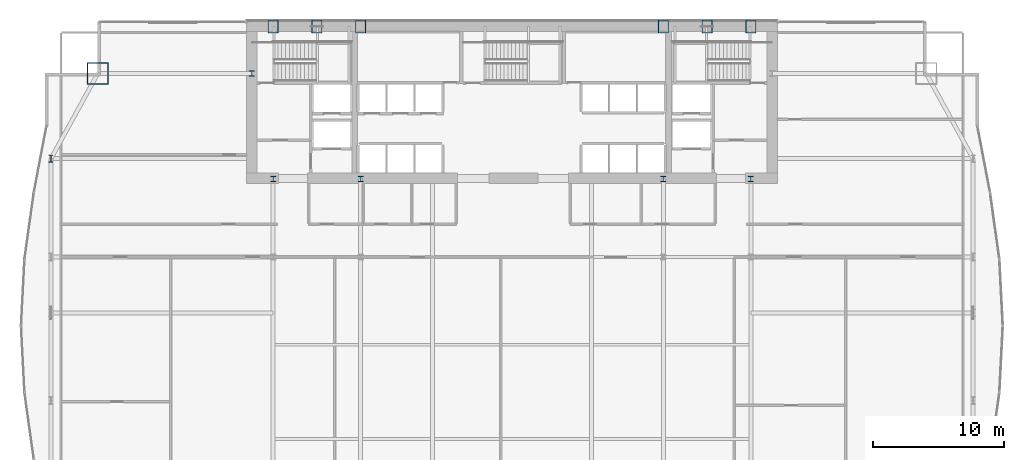
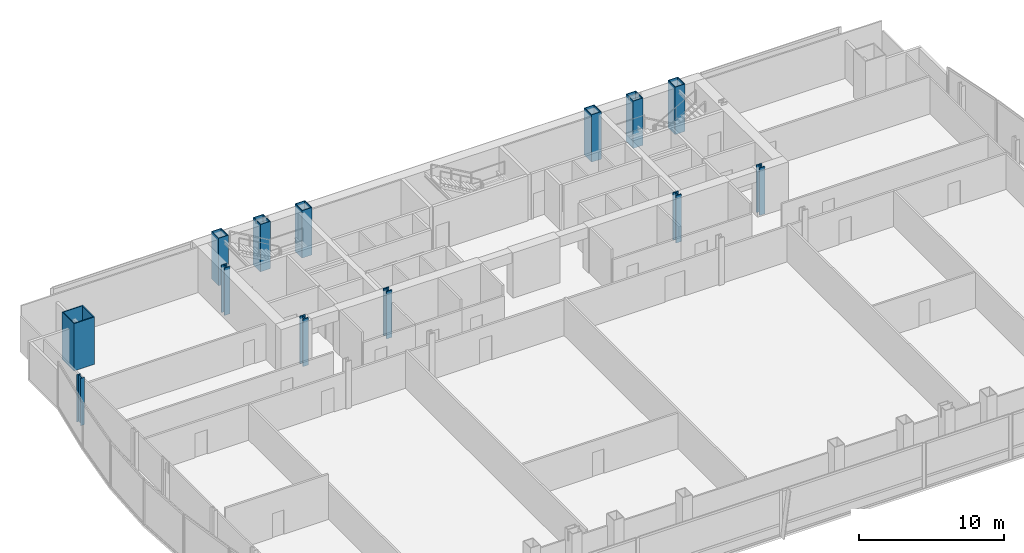
# One storey, part 3 of 37: 13 columns.
"""IFC4 building model written with IfcOpenShell, lengths in metres."""

from ifc_helpers import new_model, si_unit, direction, frame, origin, origin_2d, place, context, subcontext, project, spatial, hollow_rectangle, i_section, extrude, material, material_profile, profile_set, type_object, element, save


model = new_model("IFC4")

# Units and contexts
model_context = context("Model", 3, precision=1e-05, world=origin(), true_north=direction((0.0, 1.0)))
body_context = subcontext(model_context, "Body", "Model", "MODEL_VIEW")
ifc_project = project(units=[si_unit("LENGTHUNIT", "METRE"), si_unit("AREAUNIT", "SQUARE_METRE"), si_unit("VOLUMEUNIT", "CUBIC_METRE"), si_unit("PLANEANGLEUNIT", "RADIAN"), si_unit("MASSUNIT", "GRAM", prefix="KILO")], contexts=[model_context])

# Site, building, storey
site_placement = place(None, origin())
site = spatial("IfcSite", under=ifc_project, at=site_placement, CompositionType="ELEMENT")
building_placement = place(site_placement, origin())
building = spatial("IfcBuilding", under=site, at=building_placement, Name="Khoronbel Lancet Exchange", CompositionType="ELEMENT")
storey_placement = place(building_placement, frame((0.0, 0.0, 45.800048828125)))
storey = spatial("IfcBuildingStorey", under=building, at=storey_placement, Name="L10", CompositionType="ELEMENT", Elevation=45.800048828125)

# Columns
ifc_material_1 = material(Name="Steel S460", Category="steel")
ifc_material_profile_1 = material_profile(ifc_material_1, hollow_rectangle(XDim=0.800048828125, YDim=1.0, WallThickness=0.054931640625, at=origin_2d()), Name="BOX 1000x800x55")
ifc_profile_set_1 = profile_set([ifc_material_profile_1], Name="Steel S460")
column_type_1 = type_object("IfcColumnType", Name="COL-EC1", PredefinedType="COLUMN", material=ifc_profile_set_1)
for number, where, z_axis, x_axis, name in (
    (1, (18.22509765625, 53.280029296875, 0.0), (0.0, 0.0, 1.0), (1.0, 0.0, 0.0), "Structural column NC-W1 L10"),
    (2, (21.5625, 53.280029296875, 0.0), (0.0, 0.0, 1.0), (1.0, 0.0, 0.0), "Structural column NC-WM L10"),
    (3, (24.89990234375, 53.280029296875, 0.0), (0.0, 0.0, 1.0), (1.0, 0.0, 0.0), "Structural column NC-W2 L10"),
    (4, (48.0, 53.280029296875, 0.0), (0.0, 0.0, 1.0), (1.0, 0.0, 0.0), "Structural column NC-E1 L10"),
    (5, (51.33740234375, 53.280029296875, 0.0), (0.0, 0.0, 1.0), (1.0, 0.0, 0.0), "Structural column NC-EM L10"),
    (6, (54.675048828125, 53.280029296875, 0.0), (0.0, 0.0, 1.0), (1.0, 0.0, 0.0), "Structural column NC-E2 L10"),
):
    element("IfcColumn", number, at=place(storey_placement, frame(where, z_axis=z_axis, x_axis=x_axis)), inside=storey, type_object=column_type_1, Name=name, PredefinedType="COLUMN", context=body_context, shape_type="SweptSolid", body=[
        extrude(hollow_rectangle(XDim=0.800048828125, YDim=1.0, WallThickness=0.054931640625, at=origin_2d()), origin(), (0.0, 0.0, 1.0), 4.0),
    ])
ifc_material_profile_2 = material_profile(ifc_material_1, i_section(OverallWidth=0.424072265625, OverallDepth=0.47412109375, WebThickness=0.047607421875, FlangeThickness=0.076904296875, at=origin_2d()), Name="HD 400x634")
ifc_profile_set_2 = profile_set([ifc_material_profile_2], Name="Steel S460")
column_type_2 = type_object("IfcColumnType", Name="COL-IC1", PredefinedType="COLUMN", material=ifc_profile_set_2)
for number, where, z_axis, x_axis, name in (
    (7, (16.60009765625, 49.699951171875, 0.0), (0.0, 0.0, 1.0), (1.0, 0.0, 0.0), "Core-flank plumb transfer column CFW L10"),
    (8, (18.22509765625, 41.64990234375, 0.0), (0.0, 0.0, 1.0), (1.0, 0.0, 0.0), "Core-embedded steel column CTC1 L10"),
    (9, (24.89990234375, 41.64990234375, 0.0), (0.0, 0.0, 1.0), (1.0, 0.0, 0.0), "Core-embedded steel column CTC2 L10"),
    (10, (48.0, 41.64990234375, 0.0), (0.0, 0.0, 1.0), (1.0, 0.0, 0.0), "Core-embedded steel column CTC3 L10"),
    (11, (54.675048828125, 41.64990234375, 0.0), (0.0, 0.0, 1.0), (1.0, 0.0, 0.0), "Core-embedded steel column CTC4 L10"),
):
    element("IfcColumn", number, at=place(storey_placement, frame(where, z_axis=z_axis, x_axis=x_axis)), inside=storey, type_object=column_type_2, Name=name, PredefinedType="COLUMN", context=body_context, shape_type="SweptSolid", body=[
        extrude(i_section(OverallWidth=0.424072265625, OverallDepth=0.47412109375, WebThickness=0.047607421875, FlangeThickness=0.076904296875, at=origin_2d()), origin(), (0.0, 0.0, 1.0), 4.0),
    ])
ifc_material_2 = material(Name="Steel S355", Category="steel")
ifc_material_profile_3 = material_profile(ifc_material_2, i_section(OverallWidth=0.300048828125, OverallDepth=0.550048828125, WebThickness=0.014892578125, FlangeThickness=0.029052734375, at=origin_2d()), Name="HEB 550")
ifc_profile_set_3 = profile_set([ifc_material_profile_3], Name="Steel S355")
column_type_3 = type_object("IfcColumnType", Name="COL-LC1", PredefinedType="COLUMN", material=ifc_profile_set_3)
column_1_placement = place(storey_placement, frame((1.27001953125, 43.199951171875, 0.0), z_axis=(0.0, 0.0, 1.0), x_axis=(1.0, 0.0, 0.0)))
element("IfcColumn", 12, at=column_1_placement, inside=storey, type_object=column_type_3, Name="Structural column WC-4 L10", PredefinedType="COLUMN", context=body_context, shape_type="SweptSolid", body=[
    extrude(i_section(OverallWidth=0.300048828125, OverallDepth=0.550048828125, WebThickness=0.014892578125, FlangeThickness=0.029052734375, at=origin_2d()), origin(), (0.0, 0.0, 1.0), 4.0),
])
ifc_material_profile_4 = material_profile(ifc_material_1, hollow_rectangle(XDim=1.64990234375, YDim=1.64990234375, WallThickness=0.074951171875, at=origin_2d()), Name="BOX 1650x1650x75")
ifc_profile_set_4 = profile_set([ifc_material_profile_4], Name="Steel S460")
column_type_4 = type_object("IfcColumnType", Name="COL-MC2", PredefinedType="COLUMN", material=ifc_profile_set_4)
column_2_placement = place(storey_placement, frame((4.85009765625, 49.699951171875, 0.0), z_axis=(0.0, 0.0, 1.0), x_axis=(1.0, 0.0, 0.0)))
element("IfcColumn", 13, at=column_2_placement, inside=storey, type_object=column_type_4, Name="Structural column MC-NW L10", PredefinedType="COLUMN", context=body_context, shape_type="SweptSolid", body=[
    extrude(hollow_rectangle(XDim=1.64990234375, YDim=1.64990234375, WallThickness=0.074951171875, at=origin_2d()), origin(), (0.0, 0.0, 1.0), 4.0),
])

save(model, "model.ifc")
